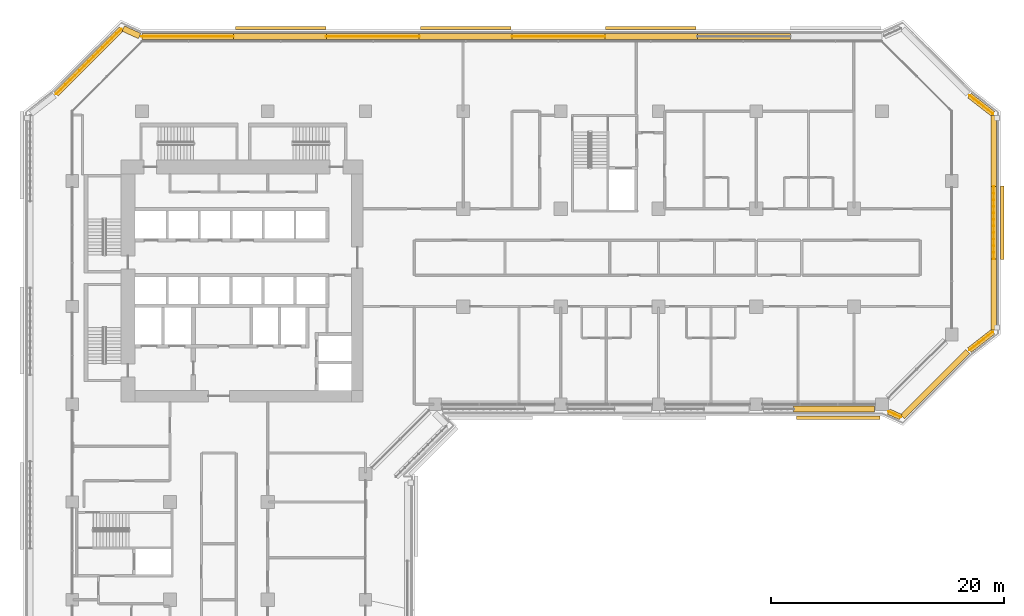
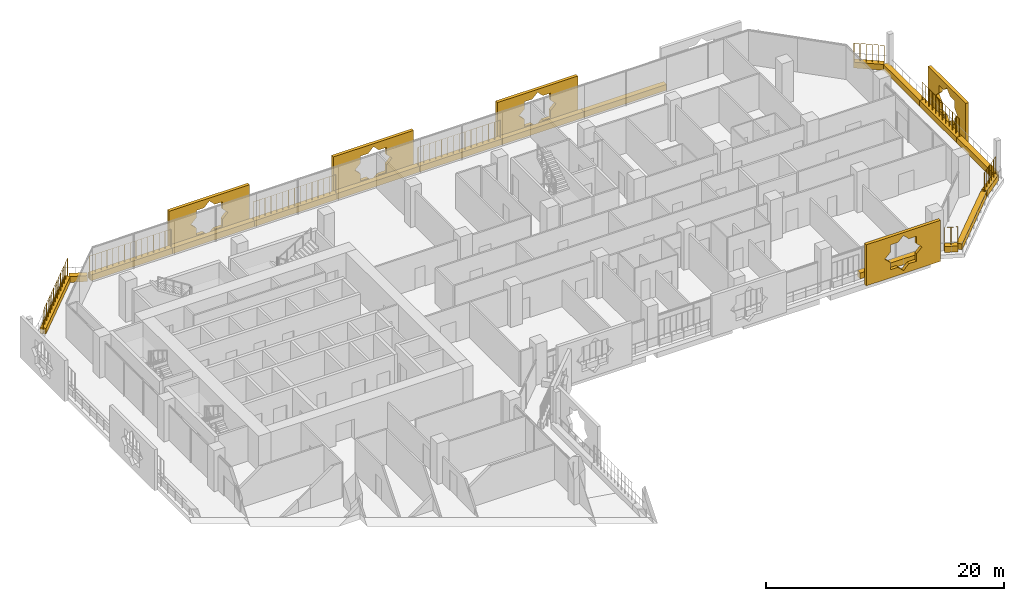
# One storey, part 24 of 25: 22 coverings, 8 railings.
"""IFC4 building model written with IfcOpenShell, lengths in metres."""

import ifcopenshell
import ifcopenshell.guid

model = None  # the IFC model being written
_history = None  # IfcOwnerHistory: only IFC2X3 demands one
_inside = {}  # id of a spatial element -> (the spatial element, [elements in it])
_under = {}  # id of a project, library or spatial element -> (it, [spatial elements below it])
_declared = {}  # id of a project -> (the project, [libraries it declares])
_typed = {}  # id of a type object -> (the type object, [elements of that type])
_made_of = {}  # id of a material, layer set ... -> (it, [elements and type objects made of it])


def new_model(schema):
    """Start an empty IFC model of exactly this schema.

    Asked for "IFC4X3", IfcOpenShell would pick the latest addendum, in which some entities
    have other attributes; the version numbers below select the first issue.
    IFC2X3 requires an IfcOwnerHistory on every rooted entity: one is made here for all.
    """
    global model, _history
    if schema == "IFC4X3":
        model = ifcopenshell.file(schema_version=(4, 3, 0, 0))
    else:
        model = ifcopenshell.file(schema=schema)
    _inside.clear()
    _under.clear()
    _declared.clear()
    _typed.clear()
    _made_of.clear()
    _history = None
    if model.schema == "IFC2X3":
        org = make("IfcOrganization", Name="unknown")
        user = make(
            "IfcPersonAndOrganization",
            ThePerson=make("IfcPerson", FamilyName="unknown"),
            TheOrganization=org,
        )
        app = make(
            "IfcApplication",
            ApplicationDeveloper=org,
            Version="unknown",
            ApplicationFullName="unknown",
            ApplicationIdentifier="unknown",
        )
        _history = make(
            "IfcOwnerHistory",
            OwningUser=user,
            OwningApplication=app,
            ChangeAction="ADDED",
            CreationDate=0,
        )
    return model


def make(cls, **values):
    """One entity of the class cls with the attributes given. An attribute that is None is left unset."""
    return model.create_entity(
        cls, **{name: value for name, value in values.items() if value is not None}
    )


def rooted(cls, **values):
    """An entity with a GlobalId (a new one), such as an element, a storey or a relation."""
    return make(cls, GlobalId=ifcopenshell.guid.new(), OwnerHistory=_history, **values)


def si_unit(unit_type, name, prefix=None):
    """IfcSIUnit, for example si_unit("LENGTHUNIT", "METRE", prefix="MILLI")."""
    return make("IfcSIUnit", UnitType=unit_type, Prefix=prefix, Name=name)


def assignment(units):
    """IfcUnitAssignment: the units of a project."""
    return None if units is None else make("IfcUnitAssignment", Units=units)


def point(xyz):
    """IfcCartesianPoint."""
    return None if xyz is None else make("IfcCartesianPoint", Coordinates=xyz)


def direction(xyz):
    """IfcDirection."""
    return None if xyz is None else make("IfcDirection", DirectionRatios=xyz)


def frame(location, z_axis=None, x_axis=None):
    """IfcAxis2Placement3D, a coordinate frame: its origin and axes. An axis left out is left unset."""
    return make(
        "IfcAxis2Placement3D",
        Location=point(location),
        Axis=direction(z_axis),
        RefDirection=direction(x_axis),
    )


def frame_2d(location, x_axis=None):
    """IfcAxis2Placement2D, a coordinate frame in the plane: its origin and x axis."""
    return make(
        "IfcAxis2Placement2D", Location=point(location), RefDirection=direction(x_axis)
    )


def origin():
    """The frame at (0, 0, 0) with its axes left unset."""
    return frame((0.0, 0.0, 0.0))


def origin_2d():
    """The frame at (0, 0) in the plane with its x axis left unset."""
    return frame_2d((0.0, 0.0))


def place(relative_to, where):
    """IfcLocalPlacement: puts the frame where relative to a parent placement (None: the world)."""
    return make(
        "IfcLocalPlacement", PlacementRelTo=relative_to, RelativePlacement=where
    )


def context(
    kind, dimensions, precision=None, world=None, true_north=None, identifier=None
):
    """IfcGeometricRepresentationContext, for example the 3D "Model" context."""
    return make(
        "IfcGeometricRepresentationContext",
        ContextIdentifier=identifier,
        ContextType=kind,
        CoordinateSpaceDimension=dimensions,
        Precision=precision,
        WorldCoordinateSystem=world,
        TrueNorth=true_north,
    )


def subcontext(parent, identifier, kind, view, scale=None):
    """IfcGeometricRepresentationSubContext, for example "Body" below "Model"."""
    return make(
        "IfcGeometricRepresentationSubContext",
        ContextIdentifier=identifier,
        ContextType=kind,
        ParentContext=parent,
        TargetScale=scale,
        TargetView=view,
    )


def project(units=None, contexts=None):
    """IfcProject with its units and contexts."""
    return rooted(
        "IfcProject",
        Name="project",
        RepresentationContexts=contexts,
        UnitsInContext=assignment(units),
    )


def spatial(cls, under=None, at=None, **own):
    """A site, building, storey or space (cls), placed at a placement, below another one or the project."""
    s = rooted(cls, ObjectPlacement=at, **own)
    if under is not None:
        _under.setdefault(under.id(), (under, []))[1].append(s)
    return s


def polyline(points):
    """IfcPolyline through the points."""
    return make("IfcPolyline", Points=[point(p) for p in points])


def profile(cls, at=None, kind="AREA", **sizes):
    """A parametric profile (cls). Its sizes go by their IFC names, for example OverallWidth=200.0."""
    return make(cls, ProfileType=kind, Position=at, **sizes)


def rectangle(**sizes):
    """IfcRectangleProfileDef."""
    return profile("IfcRectangleProfileDef", **sizes)


def circle(**sizes):
    """IfcCircleProfileDef."""
    return profile("IfcCircleProfileDef", **sizes)


def outline(outer, holes=None, kind="AREA"):
    """IfcArbitraryClosedProfileDef: a profile drawn as a closed curve; with holes, ...WithVoids."""
    if holes is None:
        return make("IfcArbitraryClosedProfileDef", ProfileType=kind, OuterCurve=outer)
    return make(
        "IfcArbitraryProfileDefWithVoids",
        ProfileType=kind,
        OuterCurve=outer,
        InnerCurves=holes,
    )


def extrude(swept, where, along, depth):
    """IfcExtrudedAreaSolid: the profile swept, set in the frame where, extruded along a direction by depth."""
    return make(
        "IfcExtrudedAreaSolid",
        SweptArea=swept,
        Position=where,
        ExtrudedDirection=direction(along),
        Depth=depth,
    )


def shape(context_of_items, identifier, shape_type, items):
    """IfcShapeRepresentation: the items that make up one representation, for example the "Body"."""
    return make(
        "IfcShapeRepresentation",
        ContextOfItems=context_of_items,
        RepresentationIdentifier=identifier,
        RepresentationType=shape_type,
        Items=items,
    )


def material(Name=None, Category=None):
    """IfcMaterial."""
    return make("IfcMaterial", Name=Name, Category=Category)


def material_profile(
    of_material, cross_section, Name=None, Category=None, Priority=None
):
    """IfcMaterialProfile: a cross section and its material."""
    return make(
        "IfcMaterialProfile",
        Name=Name,
        Material=of_material,
        Profile=cross_section,
        Priority=Priority,
        Category=Category,
    )


def profile_set(profiles, Name=None, composite=None):
    """IfcMaterialProfileSet."""
    return make(
        "IfcMaterialProfileSet",
        Name=Name,
        MaterialProfiles=profiles,
        CompositeProfile=composite,
    )


def made_of(thing, what):
    """Note that an element or type object is made of a material, layer set ...; save() writes the relation."""
    if what is not None:
        _made_of.setdefault(what.id(), (what, []))[1].append(thing)
    return thing


def type_object(cls, material=None, **own):
    """A type object (cls), such as IfcWallType, which elements share."""
    return made_of(rooted(cls, **own), material)


def element(
    cls,
    number,
    at=None,
    inside=None,
    cuts=None,
    type_object=None,
    material=None,
    context=None,
    identifier="Body",
    shape_type=None,
    held_by="IfcProductDefinitionShape",
    body=None,
    shapes=None,
    **own,
):
    """One element of the class cls, such as IfcWall. Its Tag is "e" and its number.

    at: its placement. inside: the storey or other place that contains it. cuts: it is an
    opening in that element (IfcRelVoidsElement). A single representation is given by context,
    identifier, shape_type and body (its items); several are given by shapes. held_by: the class
    of the entity that holds the representations. save() writes the other relations.
    """
    e = rooted(cls, Tag="e%d" % number, ObjectPlacement=at, **own)
    if body is not None:
        shapes = [shape(context, identifier, shape_type, body)]
    if shapes is not None:
        e.Representation = make(held_by, Representations=shapes)
    if inside is not None:
        _inside.setdefault(inside.id(), (inside, []))[1].append(e)
    if cuts is not None:
        rooted(
            "IfcRelVoidsElement", RelatingBuildingElement=cuts, RelatedOpeningElement=e
        )
    if type_object is not None:
        _typed.setdefault(type_object.id(), (type_object, []))[1].append(e)
    return made_of(e, material)


def aggregate(whole, parts):
    """IfcRelAggregates: a whole, such as a stair, and the parts it consists of."""
    return rooted("IfcRelAggregates", RelatingObject=whole, RelatedObjects=parts)


def save(model, path):
    """Write the relations noted so far, then the file.

    IfcRelAggregates (storeys below a building ...), IfcRelContainedInSpatialStructure (elements
    in a storey), IfcRelDefinesByType, IfcRelAssociatesMaterial and IfcRelDeclares: one each for
    every whole, place, type object, material and project.
    """
    for whole, parts in _under.values():
        aggregate(whole, parts)
    for where, things in _inside.values():
        rooted(
            "IfcRelContainedInSpatialStructure",
            RelatedElements=things,
            RelatingStructure=where,
        )
    for kind, things in _typed.values():
        rooted("IfcRelDefinesByType", RelatedObjects=things, RelatingType=kind)
    for what, things in _made_of.values():
        rooted("IfcRelAssociatesMaterial", RelatedObjects=things, RelatingMaterial=what)
    for by, libraries in _declared.values():
        rooted("IfcRelDeclares", RelatingContext=by, RelatedDefinitions=libraries)
    model.write(path)


model = new_model("IFC4")

# Units and contexts
model_context = context("Model", 3, precision=1e-05, world=origin(), true_north=direction((0.0, 1.0)))
body_context = subcontext(model_context, "Body", "Model", "MODEL_VIEW")
ifc_project = project(units=[si_unit("LENGTHUNIT", "METRE"), si_unit("AREAUNIT", "SQUARE_METRE"), si_unit("VOLUMEUNIT", "CUBIC_METRE"), si_unit("PLANEANGLEUNIT", "RADIAN"), si_unit("MASSUNIT", "GRAM", prefix="KILO")], contexts=[model_context])

# Site, building, storey
site_placement = place(None, origin())
site = spatial("IfcSite", under=ifc_project, at=site_placement, CompositionType="ELEMENT")
building_placement = place(site_placement, origin())
building = spatial("IfcBuilding", under=site, at=building_placement, Name="Kawkab Arch Medical Tower", CompositionType="ELEMENT")
storey_placement = place(building_placement, frame((0.0, 0.0, 124.0)))
storey = spatial("IfcBuildingStorey", under=building, at=storey_placement, Name="L28", CompositionType="ELEMENT", Elevation=124.0)

# Coverings
ifc_material_1 = material(Name="Bronze anodised aluminium mashrabiya panel, eight-point star pattern", Category="aluminium")
ifc_material_profile_1 = material_profile(ifc_material_1, outline(polyline([(-3.14990234375, -2.10009765625), (3.14990234375, -2.10009765625), (3.14990234375, 2.10009765625), (-3.14990234375, 2.10009765625), (-3.14990234375, -2.10009765625)]), holes=[polyline([(1.800048828125, 0.0), (1.272705078125, 0.527099609375), (1.272705078125, 1.272705078125), (0.527099609375, 1.272705078125), (0.0, 1.800048828125), (-0.527099609375, 1.272705078125), (-1.272705078125, 1.272705078125), (-1.272705078125, 0.527099609375), (-1.800048828125, 0.0), (-1.272705078125, -0.527099609375), (-1.272705078125, -1.272705078125), (-0.527099609375, -1.272705078125), (0.0, -1.800048828125), (0.527099609375, -1.272705078125), (1.272705078125, -1.272705078125), (1.272705078125, -0.527099609375), (1.800048828125, 0.0)])]), Name="Mashrabiya panel 6300x4200")
ifc_profile_set_1 = profile_set([ifc_material_profile_1], Name="Bronze anodised aluminium mashrabiya panel, eight-point star pattern")
covering_type_1 = type_object("IfcCoveringType", Name="Mashrabiya panel 6300 x 4200", PredefinedType="USERDEFINED", material=ifc_profile_set_1)
covering_1_placement = place(storey_placement, frame((79.800048828125, -9.60009765625, 1.699951171875), z_axis=(1.0, 0.0, 0.0), x_axis=(0.0, 1.0, 0.0)))
element("IfcCovering", 1, at=covering_1_placement, inside=storey, type_object=covering_type_1, Name="Mashrabiya panel L28.LOG-01-01.10", ObjectType="SCREEN", PredefinedType="USERDEFINED", context=body_context, shape_type="SweptSolid", body=[
    extrude(outline(polyline([(-3.14990234375, -2.10009765625), (3.14990234375, -2.10009765625), (3.14990234375, 2.10009765625), (-3.14990234375, 2.10009765625), (-3.14990234375, -2.10009765625)]), holes=[polyline([(1.800048828125, 0.0), (1.272705078125, 0.527099609375), (1.272705078125, 1.272705078125), (0.527099609375, 1.272705078125), (0.0, 1.800048828125), (-0.527099609375, 1.272705078125), (-1.272705078125, 1.272705078125), (-1.272705078125, 0.527099609375), (-1.800048828125, 0.0), (-1.272705078125, -0.527099609375), (-1.272705078125, -1.272705078125), (-0.527099609375, -1.272705078125), (0.0, -1.800048828125), (0.527099609375, -1.272705078125), (1.272705078125, -1.272705078125), (1.272705078125, -0.527099609375), (1.800048828125, 0.0)])]), origin(), (0.0, 0.0, 1.0), 0.300048828125),
])
ifc_material_2 = material(Name="Bronze anodised aluminium mashrabiya panel, eight-point star pattern", Category="aluminium")
ifc_material_profile_2 = material_profile(ifc_material_2, outline(polyline([(-3.60009765625, -2.10009765625), (3.60009765625, -2.10009765625), (3.60009765625, 2.10009765625), (-3.60009765625, 2.10009765625), (-3.60009765625, -2.10009765625)]), holes=[polyline([(1.800048828125, 0.0), (1.272705078125, 0.527099609375), (1.272705078125, 1.272705078125), (0.527099609375, 1.272705078125), (0.0, 1.800048828125), (-0.527099609375, 1.272705078125), (-1.272705078125, 1.272705078125), (-1.272705078125, 0.527099609375), (-1.800048828125, 0.0), (-1.272705078125, -0.527099609375), (-1.272705078125, -1.272705078125), (-0.527099609375, -1.272705078125), (0.0, -1.800048828125), (0.527099609375, -1.272705078125), (1.272705078125, -1.272705078125), (1.272705078125, -0.527099609375), (1.800048828125, 0.0)])]), Name="Mashrabiya panel 7200x4200")
ifc_profile_set_2 = profile_set([ifc_material_profile_2], Name="Bronze anodised aluminium mashrabiya panel, eight-point star pattern")
covering_type_2 = type_object("IfcCoveringType", Name="Mashrabiya panel 7200 x 4200", PredefinedType="USERDEFINED", material=ifc_profile_set_2)
covering_2_placement = place(storey_placement, frame((65.840087890625, -26.199951171875, 1.699951171875), z_axis=(0.0, -1.0, 0.0), x_axis=(1.0, 0.0, 0.0)))
element("IfcCovering", 2, at=covering_2_placement, inside=storey, type_object=covering_type_2, Name="Mashrabiya panel L28.LOG-01-01.11", ObjectType="SCREEN", PredefinedType="USERDEFINED", context=body_context, shape_type="SweptSolid", body=[
    extrude(outline(polyline([(-3.60009765625, -2.10009765625), (3.60009765625, -2.10009765625), (3.60009765625, 2.10009765625), (-3.60009765625, 2.10009765625), (-3.60009765625, -2.10009765625)]), holes=[polyline([(1.800048828125, 0.0), (1.272705078125, 0.527099609375), (1.272705078125, 1.272705078125), (0.527099609375, 1.272705078125), (0.0, 1.800048828125), (-0.527099609375, 1.272705078125), (-1.272705078125, 1.272705078125), (-1.272705078125, 0.527099609375), (-1.800048828125, 0.0), (-1.272705078125, -0.527099609375), (-1.272705078125, -1.272705078125), (-0.527099609375, -1.272705078125), (0.0, -1.800048828125), (0.527099609375, -1.272705078125), (1.272705078125, -1.272705078125), (1.272705078125, -0.527099609375), (1.800048828125, 0.0)])]), origin(), (0.0, 0.0, 1.0), 0.300048828125),
])
ifc_material_3 = material(Name="Bronze anodised aluminium mashrabiya panel, eight-point star pattern", Category="aluminium")
ifc_material_profile_3 = material_profile(ifc_material_3, outline(polyline([(-3.89990234375, -2.10009765625), (3.89990234375, -2.10009765625), (3.89990234375, 2.10009765625), (-3.89990234375, 2.10009765625), (-3.89990234375, -2.10009765625)]), holes=[polyline([(1.800048828125, 0.0), (1.272705078125, 0.527099609375), (1.272705078125, 1.272705078125), (0.527099609375, 1.272705078125), (0.0, 1.800048828125), (-0.527099609375, 1.272705078125), (-1.272705078125, 1.272705078125), (-1.272705078125, 0.527099609375), (-1.800048828125, 0.0), (-1.272705078125, -0.527099609375), (-1.272705078125, -1.272705078125), (-0.527099609375, -1.272705078125), (0.0, -1.800048828125), (0.527099609375, -1.272705078125), (1.272705078125, -1.272705078125), (1.272705078125, -0.527099609375), (1.800048828125, 0.0)])]), Name="Mashrabiya panel 7800x4200")
ifc_profile_set_3 = profile_set([ifc_material_profile_3], Name="Bronze anodised aluminium mashrabiya panel, eight-point star pattern")
covering_type_3 = type_object("IfcCoveringType", Name="Mashrabiya panel 7800 x 4200", PredefinedType="USERDEFINED", material=ifc_profile_set_3)
for number, where, z_axis, x_axis, name in (
    (3, (17.923583984375, 7.0, 1.699951171875), (0.0, 1.0, 0.0), (-1.0, 0.0, 0.0), "Mashrabiya panel L28.LOG-01-01.6"),
    (4, (33.82470703125, 7.0, 1.699951171875), (0.0, 1.0, 0.0), (-1.0, 0.0, 0.0), "Mashrabiya panel L28.LOG-01-01.7"),
    (5, (49.725830078125, 7.0, 1.699951171875), (0.0, 1.0, 0.0), (-1.0, 0.0, 0.0), "Mashrabiya panel L28.LOG-01-01.8"),
):
    element("IfcCovering", number, at=place(storey_placement, frame(where, z_axis=z_axis, x_axis=x_axis)), inside=storey, type_object=covering_type_3, Name=name, ObjectType="SCREEN", PredefinedType="USERDEFINED", context=body_context, shape_type="SweptSolid", body=[
        extrude(outline(polyline([(-3.89990234375, -2.10009765625), (3.89990234375, -2.10009765625), (3.89990234375, 2.10009765625), (-3.89990234375, 2.10009765625), (-3.89990234375, -2.10009765625)]), holes=[polyline([(1.800048828125, 0.0), (1.272705078125, 0.527099609375), (1.272705078125, 1.272705078125), (0.527099609375, 1.272705078125), (0.0, 1.800048828125), (-0.527099609375, 1.272705078125), (-1.272705078125, 1.272705078125), (-1.272705078125, 0.527099609375), (-1.800048828125, 0.0), (-1.272705078125, -0.527099609375), (-1.272705078125, -1.272705078125), (-0.527099609375, -1.272705078125), (0.0, -1.800048828125), (0.527099609375, -1.272705078125), (1.272705078125, -1.272705078125), (1.272705078125, -0.527099609375), (1.800048828125, 0.0)])]), origin(), (0.0, 0.0, 1.0), 0.300048828125),
    ])
ifc_material_4 = material(Name="Planting soil in a precast trough", Category="concrete")
ifc_material_profile_4 = material_profile(ifc_material_4, rectangle(XDim=0.5, YDim=0.60009765625, at=origin_2d()), Name="Trough 500x600")
ifc_profile_set_4 = profile_set([ifc_material_profile_4], Name="Planting soil in a precast trough")
covering_type_4 = type_object("IfcCoveringType", Name="Planter trough 500 x 600", PredefinedType="USERDEFINED", material=ifc_profile_set_4)
covering_3_placement = place(storey_placement, frame((-1.383056640625, 1.472900390625, 0.300048828125), z_axis=(0.707106781187, 0.707106781187, 0.0), x_axis=(-0.707106781187, 0.707106781187, 0.0)))
element("IfcCovering", 6, at=covering_3_placement, inside=storey, type_object=covering_type_4, Name="Planter L28.LOG-01-01.15", ObjectType="PLANTER", PredefinedType="USERDEFINED", context=body_context, shape_type="SweptSolid", body=[
    extrude(rectangle(XDim=0.5, YDim=0.60009765625, at=origin_2d()), origin(), (0.0, 0.0, 1.0), 7.919677734375),
])
covering_4_placement = place(storey_placement, frame((4.37890625, 7.10205078125, 0.300048828125), z_axis=(0.909655525109, -0.415363486165, 0.0), x_axis=(0.415363486165, 0.909655525109, 0.0)))
element("IfcCovering", 7, at=covering_4_placement, inside=storey, type_object=covering_type_4, Name="Planter L28.LOG-01-01.16", ObjectType="PLANTER", PredefinedType="USERDEFINED", context=body_context, shape_type="SweptSolid", body=[
    extrude(rectangle(XDim=0.5, YDim=0.60009765625, at=origin_2d()), origin(), (0.0, 0.0, 1.0), 1.54345703125),
])
covering_5_placement = place(storey_placement, frame((5.97412109375, 6.419921875, 0.300048828125), z_axis=(1.0, 0.0, 0.0), x_axis=(0.0, 1.0, 0.0)))
element("IfcCovering", 8, at=covering_5_placement, inside=storey, type_object=covering_type_4, Name="Planter L28.LOG-01-01.17", ObjectType="PLANTER", PredefinedType="USERDEFINED", context=body_context, shape_type="SweptSolid", body=[
    extrude(rectangle(XDim=0.5, YDim=0.60009765625, at=origin_2d()), origin(), (0.0, 0.0, 1.0), 7.8818359375),
])
covering_6_placement = place(storey_placement, frame((13.85595703125, 6.419921875, 0.300048828125), z_axis=(1.0, 0.0, 0.0), x_axis=(0.0, 1.0, 0.0)))
element("IfcCovering", 9, at=covering_6_placement, inside=storey, type_object=covering_type_4, Name="Planter L28.LOG-01-01.18", ObjectType="PLANTER", PredefinedType="USERDEFINED", context=body_context, shape_type="SweptSolid", body=[
    extrude(rectangle(XDim=0.5, YDim=0.60009765625, at=origin_2d()), origin(), (0.0, 0.0, 1.0), 7.98095703125),
])
covering_7_placement = place(storey_placement, frame((21.8369140625, 6.419921875, 0.300048828125), z_axis=(1.0, 0.0, 0.0), x_axis=(0.0, 1.0, 0.0)))
element("IfcCovering", 10, at=covering_7_placement, inside=storey, type_object=covering_type_4, Name="Planter L28.LOG-01-01.19", ObjectType="PLANTER", PredefinedType="USERDEFINED", context=body_context, shape_type="SweptSolid", body=[
    extrude(rectangle(XDim=0.5, YDim=0.60009765625, at=origin_2d()), origin(), (0.0, 0.0, 1.0), 7.982177734375),
])
for number, where, z_axis, x_axis, name in (
    (11, (29.819091796875, 6.419921875, 0.300048828125), (1.0, 0.0, 0.0), (0.0, 1.0, 0.0), "Planter L28.LOG-01-01.20"),
    (12, (37.800048828125, 6.419921875, 0.300048828125), (1.0, 0.0, 0.0), (0.0, 1.0, 0.0), "Planter L28.LOG-01-01.21"),
):
    element("IfcCovering", number, at=place(storey_placement, frame(where, z_axis=z_axis, x_axis=x_axis)), inside=storey, type_object=covering_type_4, Name=name, ObjectType="PLANTER", PredefinedType="USERDEFINED", context=body_context, shape_type="SweptSolid", body=[
        extrude(rectangle(XDim=0.5, YDim=0.60009765625, at=origin_2d()), origin(), (0.0, 0.0, 1.0), 7.98095703125),
    ])
covering_8_placement = place(storey_placement, frame((45.781005859375, 6.419921875, 0.300048828125), z_axis=(1.0, 0.0, 0.0), x_axis=(0.0, 1.0, 0.0)))
element("IfcCovering", 13, at=covering_8_placement, inside=storey, type_object=covering_type_4, Name="Planter L28.LOG-01-01.22", ObjectType="PLANTER", PredefinedType="USERDEFINED", context=body_context, shape_type="SweptSolid", body=[
    extrude(rectangle(XDim=0.5, YDim=0.60009765625, at=origin_2d()), origin(), (0.0, 0.0, 1.0), 7.98193359375),
])
covering_9_placement = place(storey_placement, frame((53.762939453125, 6.419921875, 0.300048828125), z_axis=(1.0, 0.0, 0.0), x_axis=(0.0, 1.0, 0.0)))
element("IfcCovering", 14, at=covering_9_placement, inside=storey, type_object=covering_type_4, Name="Planter L28.LOG-01-01.23", ObjectType="PLANTER", PredefinedType="USERDEFINED", context=body_context, shape_type="SweptSolid", body=[
    extrude(rectangle(XDim=0.5, YDim=0.60009765625, at=origin_2d()), origin(), (0.0, 0.0, 1.0), 7.98095703125),
])
covering_10_placement = place(storey_placement, frame((77.132080078125, 1.341064453125, 0.300048828125), z_axis=(0.789274742246, -0.61404021143, 0.0), x_axis=(0.61404021143, 0.789274742246, 0.0)))
element("IfcCovering", 15, at=covering_10_placement, inside=storey, type_object=covering_type_4, Name="Planter L28.LOG-01-01.27", ObjectType="PLANTER", PredefinedType="USERDEFINED", context=body_context, shape_type="SweptSolid", body=[
    extrude(rectangle(XDim=0.5, YDim=0.60009765625, at=origin_2d()), origin(), (0.0, 0.0, 1.0), 2.54541015625),
])
covering_11_placement = place(storey_placement, frame((79.219970703125, -0.384033203125, 0.300048828125), z_axis=(0.0, -1.0, 0.0), x_axis=(1.0, 0.0, 0.0)))
element("IfcCovering", 16, at=covering_11_placement, inside=storey, type_object=covering_type_4, Name="Planter L28.LOG-01-01.28", ObjectType="PLANTER", PredefinedType="USERDEFINED", context=body_context, shape_type="SweptSolid", body=[
    extrude(rectangle(XDim=0.5, YDim=0.60009765625, at=origin_2d()), origin(), (0.0, 0.0, 1.0), 6.111083984375),
])
covering_12_placement = place(storey_placement, frame((79.219970703125, -6.4951171875, 0.300048828125), z_axis=(0.0, -1.0, 0.0), x_axis=(1.0, 0.0, 0.0)))
element("IfcCovering", 17, at=covering_12_placement, inside=storey, type_object=covering_type_4, Name="Planter L28.LOG-01-01.29", ObjectType="PLANTER", PredefinedType="USERDEFINED", context=body_context, shape_type="SweptSolid", body=[
    extrude(rectangle(XDim=0.5, YDim=0.60009765625, at=origin_2d()), origin(), (0.0, 0.0, 1.0), 6.2099609375),
])
covering_13_placement = place(storey_placement, frame((79.219970703125, -12.705078125, 0.300048828125), z_axis=(0.0, -1.0, 0.0), x_axis=(1.0, 0.0, 0.0)))
element("IfcCovering", 18, at=covering_13_placement, inside=storey, type_object=covering_type_4, Name="Planter L28.LOG-01-01.30", ObjectType="PLANTER", PredefinedType="USERDEFINED", context=body_context, shape_type="SweptSolid", body=[
    extrude(rectangle(XDim=0.5, YDim=0.60009765625, at=origin_2d()), origin(), (0.0, 0.0, 1.0), 6.11083984375),
])
covering_14_placement = place(storey_placement, frame((79.14111328125, -18.97802734375, 0.300048828125), z_axis=(-0.789274742246, -0.61404021143, 0.0), x_axis=(0.61404021143, -0.789274742246, 0.0)))
element("IfcCovering", 19, at=covering_14_placement, inside=storey, type_object=covering_type_4, Name="Planter L28.LOG-01-01.31", ObjectType="PLANTER", PredefinedType="USERDEFINED", context=body_context, shape_type="SweptSolid", body=[
    extrude(rectangle(XDim=0.5, YDim=0.60009765625, at=origin_2d()), origin(), (0.0, 0.0, 1.0), 2.54541015625),
])
covering_15_placement = place(storey_placement, frame((76.98291015625, -20.673095703125, 0.300048828125), z_axis=(-0.707106781187, -0.707106781187, 0.0), x_axis=(0.707106781187, -0.707106781187, 0.0)))
element("IfcCovering", 20, at=covering_15_placement, inside=storey, type_object=covering_type_4, Name="Planter L28.LOG-01-01.32", ObjectType="PLANTER", PredefinedType="USERDEFINED", context=body_context, shape_type="SweptSolid", body=[
    extrude(rectangle(XDim=0.5, YDim=0.60009765625, at=origin_2d()), origin(), (0.0, 0.0, 1.0), 7.91943359375),
])
covering_16_placement = place(storey_placement, frame((71.220947265625, -26.302001953125, 0.300048828125), z_axis=(-0.90986596287, 0.414902313335, 0.0), x_axis=(-0.414902313335, -0.90986596287, 0.0)))
element("IfcCovering", 21, at=covering_16_placement, inside=storey, type_object=covering_type_4, Name="Planter L28.LOG-01-01.33", ObjectType="PLANTER", PredefinedType="USERDEFINED", context=body_context, shape_type="SweptSolid", body=[
    extrude(rectangle(XDim=0.5, YDim=0.60009765625, at=origin_2d()), origin(), (0.0, 0.0, 1.0), 1.137451171875),
])
covering_17_placement = place(storey_placement, frame((68.969970703125, -25.6201171875, 0.300048828125), z_axis=(-1.0, 0.0, 0.0), x_axis=(0.0, -1.0, 0.0)))
element("IfcCovering", 22, at=covering_17_placement, inside=storey, type_object=covering_type_4, Name="Planter L28.LOG-01-01.34", ObjectType="PLANTER", PredefinedType="USERDEFINED", context=body_context, shape_type="SweptSolid", body=[
    extrude(rectangle(XDim=0.5, YDim=0.60009765625, at=origin_2d()), origin(), (0.0, 0.0, 1.0), 6.951904296875),
])

# Railings
ifc_material_5 = material(Name="Bronze anodised aluminium trellis for climbing plants", Category="aluminium")
railing_type = type_object("IfcRailingType", Name="Planting trellis 2400", PredefinedType="USERDEFINED", material=ifc_material_5)
railing_1_placement = place(storey_placement, frame((-1.383056640625, 1.472900390625, 0.0)))
element("IfcRailing", 23, at=railing_1_placement, inside=storey, type_object=railing_type, Name="Planting trellis L28.LOG-01-01.15", ObjectType="TRELLIS", PredefinedType="USERDEFINED", context=body_context, shape_type="SweptSolid", body=[
    extrude(circle(Radius=0.01513671875, at=origin_2d()), frame((0.0, 0.0, 2.384765625), z_axis=(0.707106781187, 0.707106781187, 0.0), x_axis=(-0.707106781187, 0.707106781187, 0.0)), (0.0, 0.0, 1.0), 7.919677734375),
    extrude(circle(Radius=0.030029296875, at=origin_2d()), origin(), (0.0, 0.0, 1.0), 2.369873046875),
    extrude(circle(Radius=0.030029296875, at=origin_2d()), frame((0.39990234375, 0.39990234375, 0.0)), (0.0, 0.0, 1.0), 2.369873046875),
    extrude(circle(Radius=0.030029296875, at=origin_2d()), frame((0.800048828125, 0.800048828125, 0.0)), (0.0, 0.0, 1.0), 2.369873046875),
    extrude(circle(Radius=0.030029296875, at=origin_2d()), frame((1.199951171875, 1.199951171875, 0.0)), (0.0, 0.0, 1.0), 2.369873046875),
    extrude(circle(Radius=0.030029296875, at=origin_2d()), frame((1.60009765625, 1.60009765625, 0.0)), (0.0, 0.0, 1.0), 2.369873046875),
    extrude(circle(Radius=0.030029296875, at=origin_2d()), frame((2.0, 2.0, 0.0)), (0.0, 0.0, 1.0), 2.369873046875),
    extrude(circle(Radius=0.030029296875, at=origin_2d()), frame((2.400146484375, 2.400146484375, 0.0)), (0.0, 0.0, 1.0), 2.369873046875),
    extrude(circle(Radius=0.030029296875, at=origin_2d()), frame((2.800048828125, 2.800048828125, 0.0)), (0.0, 0.0, 1.0), 2.369873046875),
    extrude(circle(Radius=0.030029296875, at=origin_2d()), frame((3.199951171875, 3.199951171875, 0.0)), (0.0, 0.0, 1.0), 2.369873046875),
    extrude(circle(Radius=0.030029296875, at=origin_2d()), frame((3.60009765625, 3.60009765625, 0.0)), (0.0, 0.0, 1.0), 2.369873046875),
    extrude(circle(Radius=0.030029296875, at=origin_2d()), frame((4.0, 4.0, 0.0)), (0.0, 0.0, 1.0), 2.369873046875),
    extrude(circle(Radius=0.030029296875, at=origin_2d()), frame((4.400146484375, 4.400146484375, 0.0)), (0.0, 0.0, 1.0), 2.369873046875),
    extrude(circle(Radius=0.030029296875, at=origin_2d()), frame((4.800048828125, 4.800048828125, 0.0)), (0.0, 0.0, 1.0), 2.369873046875),
    extrude(circle(Radius=0.030029296875, at=origin_2d()), frame((5.2001953125, 5.2001953125, 0.0)), (0.0, 0.0, 1.0), 2.369873046875),
    extrude(circle(Radius=0.030029296875, at=origin_2d()), frame((5.60009765625, 5.60009765625, 0.0)), (0.0, 0.0, 1.0), 2.369873046875),
])
railing_2_placement = place(storey_placement, frame((5.97412109375, 6.419921875, 0.0)))
element("IfcRailing", 24, at=railing_2_placement, inside=storey, type_object=railing_type, Name="Planting trellis L28.LOG-01-01.17", ObjectType="TRELLIS", PredefinedType="USERDEFINED", context=body_context, shape_type="SweptSolid", body=[
    extrude(circle(Radius=0.01513671875, at=origin_2d()), frame((0.0, 0.0, 2.384765625), z_axis=(1.0, 0.0, 0.0), x_axis=(0.0, 1.0, 0.0)), (0.0, 0.0, 1.0), 7.8818359375),
    extrude(circle(Radius=0.030029296875, at=origin_2d()), origin(), (0.0, 0.0, 1.0), 2.369873046875),
    extrude(circle(Radius=0.030029296875, at=origin_2d()), frame((0.56298828125, 0.0, 0.0)), (0.0, 0.0, 1.0), 2.369873046875),
    extrude(circle(Radius=0.030029296875, at=origin_2d()), frame((1.1259765625, 0.0, 0.0)), (0.0, 0.0, 1.0), 2.369873046875),
    extrude(circle(Radius=0.030029296875, at=origin_2d()), frame((1.68896484375, 0.0, 0.0)), (0.0, 0.0, 1.0), 2.369873046875),
    extrude(circle(Radius=0.030029296875, at=origin_2d()), frame((2.251953125, 0.0, 0.0)), (0.0, 0.0, 1.0), 2.369873046875),
    extrude(circle(Radius=0.030029296875, at=origin_2d()), frame((2.81494140625, 0.0, 0.0)), (0.0, 0.0, 1.0), 2.369873046875),
    extrude(circle(Radius=0.030029296875, at=origin_2d()), frame((3.3779296875, 0.0, 0.0)), (0.0, 0.0, 1.0), 2.369873046875),
    extrude(circle(Radius=0.030029296875, at=origin_2d()), frame((3.94091796875, 0.0, 0.0)), (0.0, 0.0, 1.0), 2.369873046875),
    extrude(circle(Radius=0.030029296875, at=origin_2d()), frame((4.50390625, 0.0, 0.0)), (0.0, 0.0, 1.0), 2.369873046875),
    extrude(circle(Radius=0.030029296875, at=origin_2d()), frame((5.06689453125, 0.0, 0.0)), (0.0, 0.0, 1.0), 2.369873046875),
    extrude(circle(Radius=0.030029296875, at=origin_2d()), frame((5.6298828125, 0.0, 0.0)), (0.0, 0.0, 1.0), 2.369873046875),
    extrude(circle(Radius=0.030029296875, at=origin_2d()), frame((6.19287109375, 0.0, 0.0)), (0.0, 0.0, 1.0), 2.369873046875),
    extrude(circle(Radius=0.030029296875, at=origin_2d()), frame((6.755859375, 0.0, 0.0)), (0.0, 0.0, 1.0), 2.369873046875),
    extrude(circle(Radius=0.030029296875, at=origin_2d()), frame((7.31884765625, 0.0, 0.0)), (0.0, 0.0, 1.0), 2.369873046875),
    extrude(circle(Radius=0.030029296875, at=origin_2d()), frame((7.8818359375, 0.0, 0.0)), (0.0, 0.0, 1.0), 2.369873046875),
])
railing_3_placement = place(storey_placement, frame((21.8369140625, 6.419921875, 0.0)))
element("IfcRailing", 25, at=railing_3_placement, inside=storey, type_object=railing_type, Name="Planting trellis L28.LOG-01-01.19", ObjectType="TRELLIS", PredefinedType="USERDEFINED", context=body_context, shape_type="SweptSolid", body=[
    extrude(circle(Radius=0.01513671875, at=origin_2d()), frame((0.0, 0.0, 2.384765625), z_axis=(1.0, 0.0, 0.0), x_axis=(0.0, 1.0, 0.0)), (0.0, 0.0, 1.0), 7.982177734375),
    extrude(circle(Radius=0.030029296875, at=origin_2d()), origin(), (0.0, 0.0, 1.0), 2.369873046875),
    extrude(circle(Radius=0.030029296875, at=origin_2d()), frame((0.570068359375, 0.0, 0.0)), (0.0, 0.0, 1.0), 2.369873046875),
    extrude(circle(Radius=0.030029296875, at=origin_2d()), frame((1.140380859375, 0.0, 0.0)), (0.0, 0.0, 1.0), 2.369873046875),
    extrude(circle(Radius=0.030029296875, at=origin_2d()), frame((1.71044921875, 0.0, 0.0)), (0.0, 0.0, 1.0), 2.369873046875),
    extrude(circle(Radius=0.030029296875, at=origin_2d()), frame((2.280517578125, 0.0, 0.0)), (0.0, 0.0, 1.0), 2.369873046875),
    extrude(circle(Radius=0.030029296875, at=origin_2d()), frame((2.850830078125, 0.0, 0.0)), (0.0, 0.0, 1.0), 2.369873046875),
    extrude(circle(Radius=0.030029296875, at=origin_2d()), frame((3.4208984375, 0.0, 0.0)), (0.0, 0.0, 1.0), 2.369873046875),
    extrude(circle(Radius=0.030029296875, at=origin_2d()), frame((3.9912109375, 0.0, 0.0)), (0.0, 0.0, 1.0), 2.369873046875),
    extrude(circle(Radius=0.030029296875, at=origin_2d()), frame((4.561279296875, 0.0, 0.0)), (0.0, 0.0, 1.0), 2.369873046875),
    extrude(circle(Radius=0.030029296875, at=origin_2d()), frame((5.13134765625, 0.0, 0.0)), (0.0, 0.0, 1.0), 2.369873046875),
    extrude(circle(Radius=0.030029296875, at=origin_2d()), frame((5.70166015625, 0.0, 0.0)), (0.0, 0.0, 1.0), 2.369873046875),
    extrude(circle(Radius=0.030029296875, at=origin_2d()), frame((6.271728515625, 0.0, 0.0)), (0.0, 0.0, 1.0), 2.369873046875),
    extrude(circle(Radius=0.030029296875, at=origin_2d()), frame((6.841796875, 0.0, 0.0)), (0.0, 0.0, 1.0), 2.369873046875),
    extrude(circle(Radius=0.030029296875, at=origin_2d()), frame((7.412109375, 0.0, 0.0)), (0.0, 0.0, 1.0), 2.369873046875),
    extrude(circle(Radius=0.030029296875, at=origin_2d()), frame((7.982177734375, 0.0, 0.0)), (0.0, 0.0, 1.0), 2.369873046875),
])
railing_4_placement = place(storey_placement, frame((37.800048828125, 6.419921875, 0.0)))
element("IfcRailing", 26, at=railing_4_placement, inside=storey, type_object=railing_type, Name="Planting trellis L28.LOG-01-01.21", ObjectType="TRELLIS", PredefinedType="USERDEFINED", context=body_context, shape_type="SweptSolid", body=[
    extrude(circle(Radius=0.01513671875, at=origin_2d()), frame((0.0, 0.0, 2.384765625), z_axis=(1.0, 0.0, 0.0), x_axis=(0.0, 1.0, 0.0)), (0.0, 0.0, 1.0), 7.98095703125),
    extrude(circle(Radius=0.030029296875, at=origin_2d()), origin(), (0.0, 0.0, 1.0), 2.369873046875),
    extrude(circle(Radius=0.030029296875, at=origin_2d()), frame((0.570068359375, 0.0, 0.0)), (0.0, 0.0, 1.0), 2.369873046875),
    extrude(circle(Radius=0.030029296875, at=origin_2d()), frame((1.14013671875, 0.0, 0.0)), (0.0, 0.0, 1.0), 2.369873046875),
    extrude(circle(Radius=0.030029296875, at=origin_2d()), frame((1.710205078125, 0.0, 0.0)), (0.0, 0.0, 1.0), 2.369873046875),
    extrude(circle(Radius=0.030029296875, at=origin_2d()), frame((2.2802734375, 0.0, 0.0)), (0.0, 0.0, 1.0), 2.369873046875),
    extrude(circle(Radius=0.030029296875, at=origin_2d()), frame((2.850341796875, 0.0, 0.0)), (0.0, 0.0, 1.0), 2.369873046875),
    extrude(circle(Radius=0.030029296875, at=origin_2d()), frame((3.42041015625, 0.0, 0.0)), (0.0, 0.0, 1.0), 2.369873046875),
    extrude(circle(Radius=0.030029296875, at=origin_2d()), frame((3.990478515625, 0.0, 0.0)), (0.0, 0.0, 1.0), 2.369873046875),
    extrude(circle(Radius=0.030029296875, at=origin_2d()), frame((4.560546875, 0.0, 0.0)), (0.0, 0.0, 1.0), 2.369873046875),
    extrude(circle(Radius=0.030029296875, at=origin_2d()), frame((5.130615234375, 0.0, 0.0)), (0.0, 0.0, 1.0), 2.369873046875),
    extrude(circle(Radius=0.030029296875, at=origin_2d()), frame((5.70068359375, 0.0, 0.0)), (0.0, 0.0, 1.0), 2.369873046875),
    extrude(circle(Radius=0.030029296875, at=origin_2d()), frame((6.270751953125, 0.0, 0.0)), (0.0, 0.0, 1.0), 2.369873046875),
    extrude(circle(Radius=0.030029296875, at=origin_2d()), frame((6.8408203125, 0.0, 0.0)), (0.0, 0.0, 1.0), 2.369873046875),
    extrude(circle(Radius=0.030029296875, at=origin_2d()), frame((7.410888671875, 0.0, 0.0)), (0.0, 0.0, 1.0), 2.369873046875),
    extrude(circle(Radius=0.030029296875, at=origin_2d()), frame((7.98095703125, 0.0, 0.0)), (0.0, 0.0, 1.0), 2.369873046875),
])
railing_5_placement = place(storey_placement, frame((77.132080078125, 1.341064453125, 0.0)))
element("IfcRailing", 27, at=railing_5_placement, inside=storey, type_object=railing_type, Name="Planting trellis L28.LOG-01-01.27", ObjectType="TRELLIS", PredefinedType="USERDEFINED", context=body_context, shape_type="SweptSolid", body=[
    extrude(circle(Radius=0.01513671875, at=origin_2d()), frame((0.0, 0.0, 2.384765625), z_axis=(0.789274742246, -0.61404021143, 0.0), x_axis=(0.61404021143, 0.789274742246, 0.0)), (0.0, 0.0, 1.0), 2.54541015625),
    extrude(circle(Radius=0.030029296875, at=origin_2d()), origin(), (0.0, 0.0, 1.0), 2.369873046875),
    extrude(circle(Radius=0.030029296875, at=origin_2d()), frame((0.40185546875, -0.3125, 0.0)), (0.0, 0.0, 1.0), 2.369873046875),
    extrude(circle(Radius=0.030029296875, at=origin_2d()), frame((0.8037109375, -0.625244140625, 0.0)), (0.0, 0.0, 1.0), 2.369873046875),
    extrude(circle(Radius=0.030029296875, at=origin_2d()), frame((1.205322265625, -0.937744140625, 0.0)), (0.0, 0.0, 1.0), 2.369873046875),
    extrude(circle(Radius=0.030029296875, at=origin_2d()), frame((1.607177734375, -1.25048828125, 0.0)), (0.0, 0.0, 1.0), 2.369873046875),
    extrude(circle(Radius=0.030029296875, at=origin_2d()), frame((2.009033203125, -1.56298828125, 0.0)), (0.0, 0.0, 1.0), 2.369873046875),
])
railing_6_placement = place(storey_placement, frame((79.219970703125, -6.4951171875, 0.0)))
element("IfcRailing", 28, at=railing_6_placement, inside=storey, type_object=railing_type, Name="Planting trellis L28.LOG-01-01.29", ObjectType="TRELLIS", PredefinedType="USERDEFINED", context=body_context, shape_type="SweptSolid", body=[
    extrude(circle(Radius=0.01513671875, at=origin_2d()), frame((0.0, 0.0, 2.384765625), z_axis=(0.0, -1.0, 0.0), x_axis=(1.0, 0.0, 0.0)), (0.0, 0.0, 1.0), 6.2099609375),
    extrude(circle(Radius=0.030029296875, at=origin_2d()), origin(), (0.0, 0.0, 1.0), 2.369873046875),
    extrude(circle(Radius=0.030029296875, at=origin_2d()), frame((0.0, -0.564453125, 0.0)), (0.0, 0.0, 1.0), 2.369873046875),
    extrude(circle(Radius=0.030029296875, at=origin_2d()), frame((0.0, -1.129150390625, 0.0)), (0.0, 0.0, 1.0), 2.369873046875),
    extrude(circle(Radius=0.030029296875, at=origin_2d()), frame((0.0, -1.693603515625, 0.0)), (0.0, 0.0, 1.0), 2.369873046875),
    extrude(circle(Radius=0.030029296875, at=origin_2d()), frame((0.0, -2.258056640625, 0.0)), (0.0, 0.0, 1.0), 2.369873046875),
    extrude(circle(Radius=0.030029296875, at=origin_2d()), frame((0.0, -2.82275390625, 0.0)), (0.0, 0.0, 1.0), 2.369873046875),
    extrude(circle(Radius=0.030029296875, at=origin_2d()), frame((0.0, -3.38720703125, 0.0)), (0.0, 0.0, 1.0), 2.369873046875),
    extrude(circle(Radius=0.030029296875, at=origin_2d()), frame((0.0, -3.951904296875, 0.0)), (0.0, 0.0, 1.0), 2.369873046875),
    extrude(circle(Radius=0.030029296875, at=origin_2d()), frame((0.0, -4.516357421875, 0.0)), (0.0, 0.0, 1.0), 2.369873046875),
    extrude(circle(Radius=0.030029296875, at=origin_2d()), frame((0.0, -5.080810546875, 0.0)), (0.0, 0.0, 1.0), 2.369873046875),
    extrude(circle(Radius=0.030029296875, at=origin_2d()), frame((0.0, -5.6455078125, 0.0)), (0.0, 0.0, 1.0), 2.369873046875),
    extrude(circle(Radius=0.030029296875, at=origin_2d()), frame((0.0, -6.2099609375, 0.0)), (0.0, 0.0, 1.0), 2.369873046875),
])
railing_7_placement = place(storey_placement, frame((79.14111328125, -18.97802734375, 0.0)))
element("IfcRailing", 29, at=railing_7_placement, inside=storey, type_object=railing_type, Name="Planting trellis L28.LOG-01-01.31", ObjectType="TRELLIS", PredefinedType="USERDEFINED", context=body_context, shape_type="SweptSolid", body=[
    extrude(circle(Radius=0.01513671875, at=origin_2d()), frame((0.0, 0.0, 2.384765625), z_axis=(-0.789274742246, -0.61404021143, 0.0), x_axis=(0.61404021143, -0.789274742246, 0.0)), (0.0, 0.0, 1.0), 2.54541015625),
    extrude(circle(Radius=0.030029296875, at=origin_2d()), origin(), (0.0, 0.0, 1.0), 2.369873046875),
    extrude(circle(Radius=0.030029296875, at=origin_2d()), frame((-0.40185546875, -0.3125, 0.0)), (0.0, 0.0, 1.0), 2.369873046875),
    extrude(circle(Radius=0.030029296875, at=origin_2d()), frame((-0.8037109375, -0.625244140625, 0.0)), (0.0, 0.0, 1.0), 2.369873046875),
    extrude(circle(Radius=0.030029296875, at=origin_2d()), frame((-1.205322265625, -0.937744140625, 0.0)), (0.0, 0.0, 1.0), 2.369873046875),
    extrude(circle(Radius=0.030029296875, at=origin_2d()), frame((-1.607177734375, -1.25048828125, 0.0)), (0.0, 0.0, 1.0), 2.369873046875),
    extrude(circle(Radius=0.030029296875, at=origin_2d()), frame((-2.009033203125, -1.56298828125, 0.0)), (0.0, 0.0, 1.0), 2.369873046875),
])
railing_8_placement = place(storey_placement, frame((71.220947265625, -26.302001953125, 0.0)))
element("IfcRailing", 30, at=railing_8_placement, inside=storey, type_object=railing_type, Name="Planting trellis L28.LOG-01-01.33", ObjectType="TRELLIS", PredefinedType="USERDEFINED", context=body_context, shape_type="SweptSolid", body=[
    extrude(circle(Radius=0.01513671875, at=origin_2d()), frame((0.0, 0.0, 2.384765625), z_axis=(-0.90986596287, 0.414902313335, 0.0), x_axis=(-0.414902313335, -0.90986596287, 0.0)), (0.0, 0.0, 1.0), 1.137451171875),
    extrude(circle(Radius=0.030029296875, at=origin_2d()), origin(), (0.0, 0.0, 1.0), 2.369873046875),
    extrude(circle(Radius=0.030029296875, at=origin_2d()), frame((-0.517578125, 0.23583984375, 0.0)), (0.0, 0.0, 1.0), 2.369873046875),
    extrude(circle(Radius=0.030029296875, at=origin_2d()), frame((-1.034912109375, 0.471923828125, 0.0)), (0.0, 0.0, 1.0), 2.369873046875),
])

save(model, "model.ifc")
